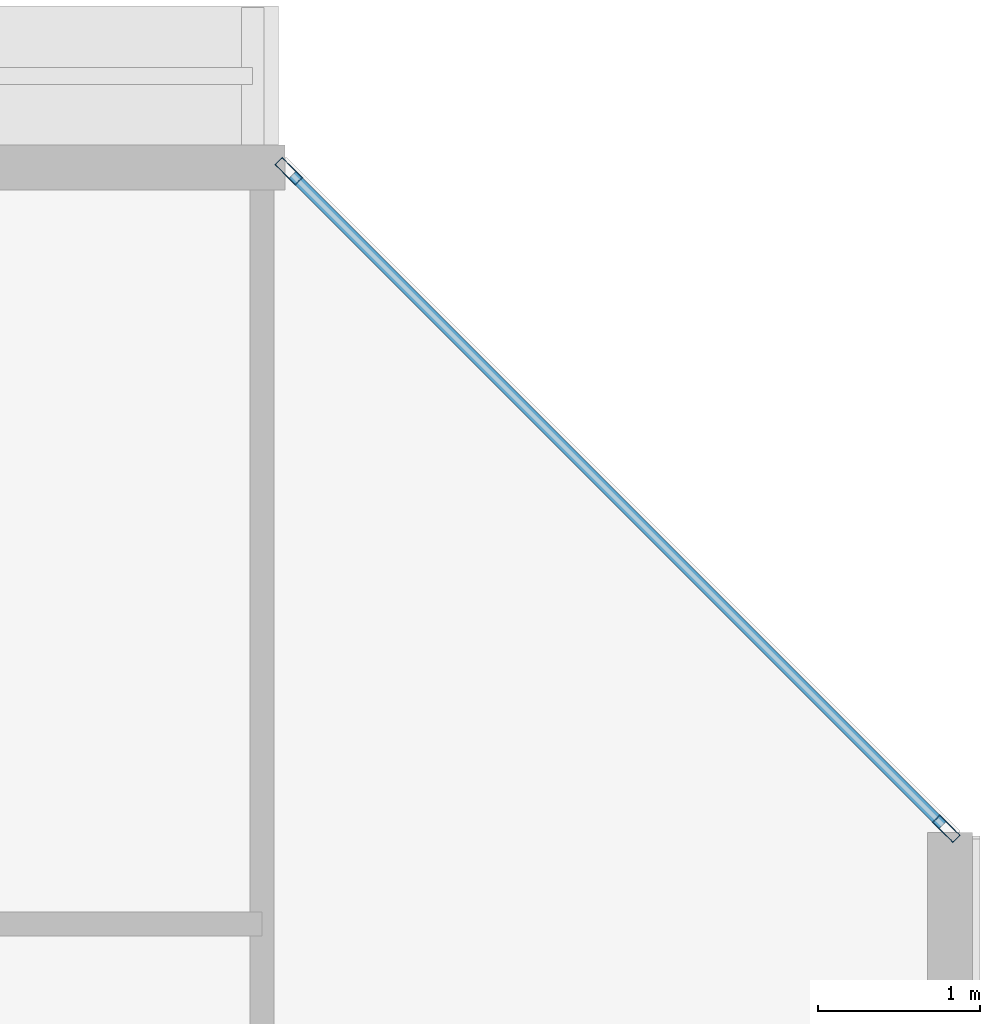
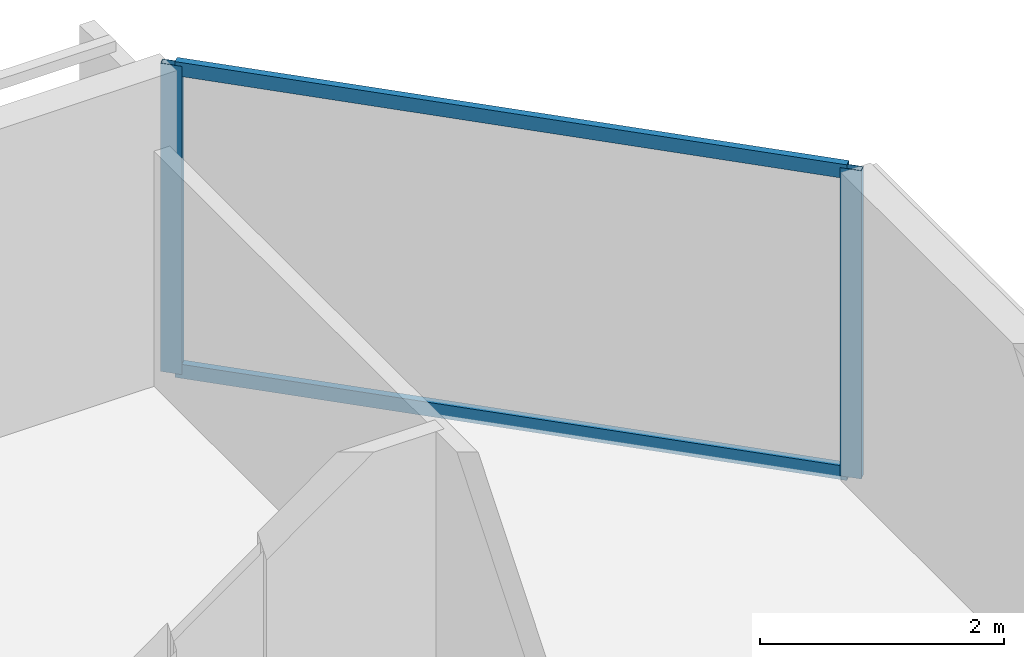
# One storey, part 17 of 34: 4 members, 1 element without a shape of its own.
"""IFC4 building model written with IfcOpenShell, lengths in metres."""

from ifc_helpers import new_model, si_unit, direction, frame, origin, origin_2d, place, context, subcontext, project, spatial, hollow_rectangle, extrude, material, layer, layer_set, material_profile, profile_set, type_object, element, aggregate, save


model = new_model("IFC4")

# Units and contexts
model_context = context("Model", 3, precision=1e-05, world=origin(), true_north=direction((0.0, 1.0)))
body_context = subcontext(model_context, "Body", "Model", "MODEL_VIEW")
ifc_project = project(units=[si_unit("LENGTHUNIT", "METRE"), si_unit("AREAUNIT", "SQUARE_METRE"), si_unit("VOLUMEUNIT", "CUBIC_METRE"), si_unit("PLANEANGLEUNIT", "RADIAN"), si_unit("MASSUNIT", "GRAM", prefix="KILO")], contexts=[model_context])

# Site, building, storey
site_placement = place(None, origin())
site = spatial("IfcSite", under=ifc_project, at=site_placement, CompositionType="ELEMENT")
building_placement = place(site_placement, origin())
building = spatial("IfcBuilding", under=site, at=building_placement, Name="Tanjung Sevakor Pilgrim Tower", CompositionType="ELEMENT")
storey_placement = place(building_placement, frame((0.0, 0.0, 55.43994140625)))
storey = spatial("IfcBuildingStorey", under=building, at=storey_placement, Name="L15", CompositionType="ELEMENT", Elevation=55.43994140625)

# Curtain wall, members
ifc_material_1 = material(Name="Aluminium 6063-T6 and Low-E Glass", Category="aluminium")
ifc_layer = layer(ifc_material_1, 0.179931640625)
ifc_layer_set = layer_set([ifc_layer], Name="CW-SYS-CHAM")
curtain_wall_type = type_object("IfcCurtainWallType", Name="CW-SYS-CHAM", PredefinedType="NOTDEFINED", material=ifc_layer_set)
curtain_wall_placement = place(storey_placement, origin())
curtain_wall = element("IfcCurtainWall", 1, at=curtain_wall_placement, inside=storey, type_object=curtain_wall_type, Name="L15 Curtain Wall CW-CHM-L15-MAIN-7", PredefinedType="NOTDEFINED")
ifc_material_2 = material(Name="Aluminium 6063-T6", Category="aluminium")
ifc_material_profile_1 = material_profile(ifc_material_2, hollow_rectangle(XDim=0.06494140625, YDim=0.179931640625, WallThickness=0.00390625, at=origin_2d()))
ifc_profile_set_1 = profile_set([ifc_material_profile_1], Name="Aluminium 6063-T6")
member_type_1 = type_object("IfcMemberType", Name="TYPE-CWM-1", PredefinedType="MULLION", material=ifc_profile_set_1)
member_1_placement = place(storey_placement, frame((100.636962890625, 55.364990234375, 0.0), z_axis=(0.0, 0.0, 1.0), x_axis=(-0.707106781187, -0.707106781187, 0.0)))
member_1 = element("IfcMember", 2, at=member_1_placement, type_object=member_type_1, Name="CW-CHM mullion 1", PredefinedType="MULLION", context=body_context, shape_type="SweptSolid", body=[
    extrude(hollow_rectangle(XDim=0.06494140625, YDim=0.179931640625, WallThickness=0.00390625, at=origin_2d()), origin(), (0.0, 0.0, 1.0), 3.080078125),
])
member_2_placement = place(storey_placement, frame((96.56494140625, 59.43701171875, 0.0), z_axis=(0.0, 0.0, 1.0), x_axis=(-0.707106781187, -0.707106781187, 0.0)))
member_2 = element("IfcMember", 3, at=member_2_placement, type_object=member_type_1, Name="CW-CHM mullion 2", PredefinedType="MULLION", context=body_context, shape_type="SweptSolid", body=[
    extrude(hollow_rectangle(XDim=0.06494140625, YDim=0.179931640625, WallThickness=0.00390625, at=origin_2d()), origin(), (0.0, 0.0, 1.0), 3.080078125),
])
ifc_material_3 = material(Name="Aluminium 6063-T6", Category="aluminium")
ifc_material_profile_2 = material_profile(ifc_material_3, hollow_rectangle(XDim=0.06494140625, YDim=0.139892578125, WallThickness=0.00390625, at=origin_2d()))
ifc_profile_set_2 = profile_set([ifc_material_profile_2], Name="Aluminium 6063-T6")
member_type_2 = type_object("IfcMemberType", Name="TYPE-CWT-1", PredefinedType="USERDEFINED", material=ifc_profile_set_2)
member_3_placement = place(storey_placement, frame((100.614013671875, 55.387939453125, 0.032470703125), z_axis=(-0.707106781187, 0.707106781187, 0.0), x_axis=(-0.707106781187, -0.707106781187, 0.0)))
member_3 = element("IfcMember", 4, at=member_3_placement, type_object=member_type_2, Name="CW-CHM transom 1.1", ObjectType="TRANSOM", PredefinedType="USERDEFINED", context=body_context, shape_type="SweptSolid", body=[
    extrude(hollow_rectangle(XDim=0.06494140625, YDim=0.139892578125, WallThickness=0.00390625, at=origin_2d()), origin(), (0.0, 0.0, 1.0), 5.69384765625),
])
member_4_placement = place(storey_placement, frame((100.614013671875, 55.387939453125, 3.047607421875), z_axis=(-0.707106781187, 0.707106781187, 0.0), x_axis=(-0.707106781187, -0.707106781187, 0.0)))
member_4 = element("IfcMember", 5, at=member_4_placement, type_object=member_type_2, Name="CW-CHM transom 1.2", ObjectType="TRANSOM", PredefinedType="USERDEFINED", context=body_context, shape_type="SweptSolid", body=[
    extrude(hollow_rectangle(XDim=0.06494140625, YDim=0.139892578125, WallThickness=0.00390625, at=origin_2d()), origin(), (0.0, 0.0, 1.0), 5.69384765625),
])
aggregate(curtain_wall, [member_1, member_2, member_3, member_4])

save(model, "model.ifc")
